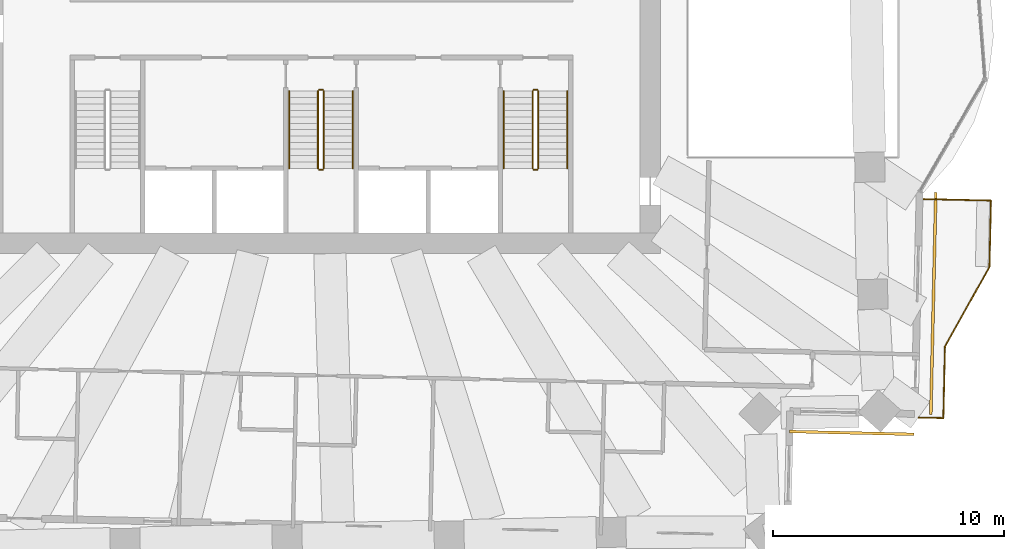
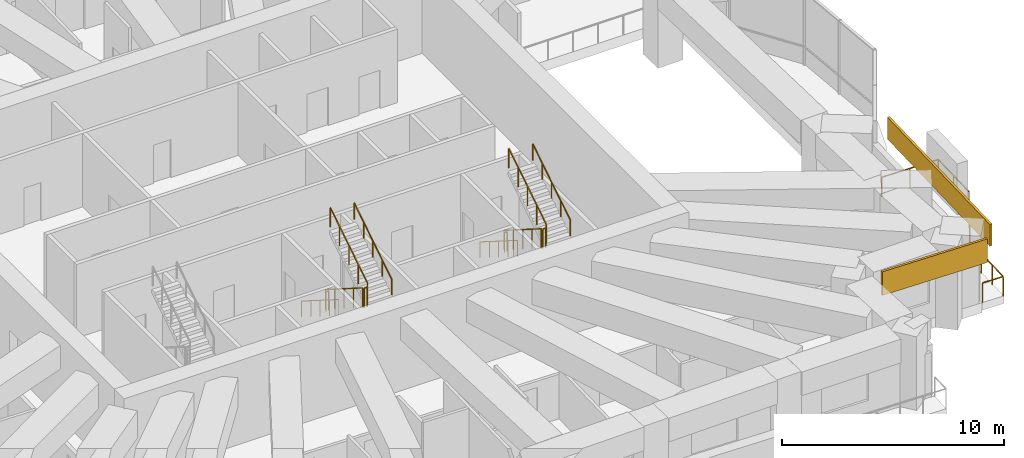
# One storey, part 15 of 17: 13 railings, 2 coverings.
"""IFC4 building model written with IfcOpenShell, lengths in metres."""

import ifcopenshell
import ifcopenshell.guid

model = None  # the IFC model being written
_history = None  # IfcOwnerHistory: only IFC2X3 demands one
_inside = {}  # id of a spatial element -> (the spatial element, [elements in it])
_under = {}  # id of a project, library or spatial element -> (it, [spatial elements below it])
_declared = {}  # id of a project -> (the project, [libraries it declares])
_typed = {}  # id of a type object -> (the type object, [elements of that type])
_made_of = {}  # id of a material, layer set ... -> (it, [elements and type objects made of it])


def new_model(schema):
    """Start an empty IFC model of exactly this schema.

    Asked for "IFC4X3", IfcOpenShell would pick the latest addendum, in which some entities
    have other attributes; the version numbers below select the first issue.
    IFC2X3 requires an IfcOwnerHistory on every rooted entity: one is made here for all.
    """
    global model, _history
    if schema == "IFC4X3":
        model = ifcopenshell.file(schema_version=(4, 3, 0, 0))
    else:
        model = ifcopenshell.file(schema=schema)
    _inside.clear()
    _under.clear()
    _declared.clear()
    _typed.clear()
    _made_of.clear()
    _history = None
    if model.schema == "IFC2X3":
        org = make("IfcOrganization", Name="unknown")
        user = make(
            "IfcPersonAndOrganization",
            ThePerson=make("IfcPerson", FamilyName="unknown"),
            TheOrganization=org,
        )
        app = make(
            "IfcApplication",
            ApplicationDeveloper=org,
            Version="unknown",
            ApplicationFullName="unknown",
            ApplicationIdentifier="unknown",
        )
        _history = make(
            "IfcOwnerHistory",
            OwningUser=user,
            OwningApplication=app,
            ChangeAction="ADDED",
            CreationDate=0,
        )
    return model


def make(cls, **values):
    """One entity of the class cls with the attributes given. An attribute that is None is left unset."""
    return model.create_entity(
        cls, **{name: value for name, value in values.items() if value is not None}
    )


def rooted(cls, **values):
    """An entity with a GlobalId (a new one), such as an element, a storey or a relation."""
    return make(cls, GlobalId=ifcopenshell.guid.new(), OwnerHistory=_history, **values)


def si_unit(unit_type, name, prefix=None):
    """IfcSIUnit, for example si_unit("LENGTHUNIT", "METRE", prefix="MILLI")."""
    return make("IfcSIUnit", UnitType=unit_type, Prefix=prefix, Name=name)


def assignment(units):
    """IfcUnitAssignment: the units of a project."""
    return None if units is None else make("IfcUnitAssignment", Units=units)


def point(xyz):
    """IfcCartesianPoint."""
    return None if xyz is None else make("IfcCartesianPoint", Coordinates=xyz)


def direction(xyz):
    """IfcDirection."""
    return None if xyz is None else make("IfcDirection", DirectionRatios=xyz)


def frame(location, z_axis=None, x_axis=None):
    """IfcAxis2Placement3D, a coordinate frame: its origin and axes. An axis left out is left unset."""
    return make(
        "IfcAxis2Placement3D",
        Location=point(location),
        Axis=direction(z_axis),
        RefDirection=direction(x_axis),
    )


def frame_2d(location, x_axis=None):
    """IfcAxis2Placement2D, a coordinate frame in the plane: its origin and x axis."""
    return make(
        "IfcAxis2Placement2D", Location=point(location), RefDirection=direction(x_axis)
    )


def origin():
    """The frame at (0, 0, 0) with its axes left unset."""
    return frame((0.0, 0.0, 0.0))


def origin_2d():
    """The frame at (0, 0) in the plane with its x axis left unset."""
    return frame_2d((0.0, 0.0))


def place(relative_to, where):
    """IfcLocalPlacement: puts the frame where relative to a parent placement (None: the world)."""
    return make(
        "IfcLocalPlacement", PlacementRelTo=relative_to, RelativePlacement=where
    )


def context(
    kind, dimensions, precision=None, world=None, true_north=None, identifier=None
):
    """IfcGeometricRepresentationContext, for example the 3D "Model" context."""
    return make(
        "IfcGeometricRepresentationContext",
        ContextIdentifier=identifier,
        ContextType=kind,
        CoordinateSpaceDimension=dimensions,
        Precision=precision,
        WorldCoordinateSystem=world,
        TrueNorth=true_north,
    )


def subcontext(parent, identifier, kind, view, scale=None):
    """IfcGeometricRepresentationSubContext, for example "Body" below "Model"."""
    return make(
        "IfcGeometricRepresentationSubContext",
        ContextIdentifier=identifier,
        ContextType=kind,
        ParentContext=parent,
        TargetScale=scale,
        TargetView=view,
    )


def project(units=None, contexts=None):
    """IfcProject with its units and contexts."""
    return rooted(
        "IfcProject",
        Name="project",
        RepresentationContexts=contexts,
        UnitsInContext=assignment(units),
    )


def spatial(cls, under=None, at=None, **own):
    """A site, building, storey or space (cls), placed at a placement, below another one or the project."""
    s = rooted(cls, ObjectPlacement=at, **own)
    if under is not None:
        _under.setdefault(under.id(), (under, []))[1].append(s)
    return s


def profile(cls, at=None, kind="AREA", **sizes):
    """A parametric profile (cls). Its sizes go by their IFC names, for example OverallWidth=200.0."""
    return make(cls, ProfileType=kind, Position=at, **sizes)


def rectangle(**sizes):
    """IfcRectangleProfileDef."""
    return profile("IfcRectangleProfileDef", **sizes)


def circle(**sizes):
    """IfcCircleProfileDef."""
    return profile("IfcCircleProfileDef", **sizes)


def extrude(swept, where, along, depth):
    """IfcExtrudedAreaSolid: the profile swept, set in the frame where, extruded along a direction by depth."""
    return make(
        "IfcExtrudedAreaSolid",
        SweptArea=swept,
        Position=where,
        ExtrudedDirection=direction(along),
        Depth=depth,
    )


def shape(context_of_items, identifier, shape_type, items):
    """IfcShapeRepresentation: the items that make up one representation, for example the "Body"."""
    return make(
        "IfcShapeRepresentation",
        ContextOfItems=context_of_items,
        RepresentationIdentifier=identifier,
        RepresentationType=shape_type,
        Items=items,
    )


def material(Name=None, Category=None):
    """IfcMaterial."""
    return make("IfcMaterial", Name=Name, Category=Category)


def layer(
    of_material, thickness, ventilated=None, Name=None, Category=None, Priority=None
):
    """IfcMaterialLayer: one layer of a wall or slab, of a material (None: an air gap)."""
    return make(
        "IfcMaterialLayer",
        Material=of_material,
        LayerThickness=thickness,
        IsVentilated=ventilated,
        Name=Name,
        Category=Category,
        Priority=Priority,
    )


def layer_set(layers, Name=None):
    """IfcMaterialLayerSet."""
    return make("IfcMaterialLayerSet", MaterialLayers=layers, LayerSetName=Name)


def made_of(thing, what):
    """Note that an element or type object is made of a material, layer set ...; save() writes the relation."""
    if what is not None:
        _made_of.setdefault(what.id(), (what, []))[1].append(thing)
    return thing


def type_object(cls, material=None, **own):
    """A type object (cls), such as IfcWallType, which elements share."""
    return made_of(rooted(cls, **own), material)


def element(
    cls,
    number,
    at=None,
    inside=None,
    cuts=None,
    type_object=None,
    material=None,
    context=None,
    identifier="Body",
    shape_type=None,
    held_by="IfcProductDefinitionShape",
    body=None,
    shapes=None,
    **own,
):
    """One element of the class cls, such as IfcWall. Its Tag is "e" and its number.

    at: its placement. inside: the storey or other place that contains it. cuts: it is an
    opening in that element (IfcRelVoidsElement). A single representation is given by context,
    identifier, shape_type and body (its items); several are given by shapes. held_by: the class
    of the entity that holds the representations. save() writes the other relations.
    """
    e = rooted(cls, Tag="e%d" % number, ObjectPlacement=at, **own)
    if body is not None:
        shapes = [shape(context, identifier, shape_type, body)]
    if shapes is not None:
        e.Representation = make(held_by, Representations=shapes)
    if inside is not None:
        _inside.setdefault(inside.id(), (inside, []))[1].append(e)
    if cuts is not None:
        rooted(
            "IfcRelVoidsElement", RelatingBuildingElement=cuts, RelatedOpeningElement=e
        )
    if type_object is not None:
        _typed.setdefault(type_object.id(), (type_object, []))[1].append(e)
    return made_of(e, material)


def aggregate(whole, parts):
    """IfcRelAggregates: a whole, such as a stair, and the parts it consists of."""
    return rooted("IfcRelAggregates", RelatingObject=whole, RelatedObjects=parts)


def save(model, path):
    """Write the relations noted so far, then the file.

    IfcRelAggregates (storeys below a building ...), IfcRelContainedInSpatialStructure (elements
    in a storey), IfcRelDefinesByType, IfcRelAssociatesMaterial and IfcRelDeclares: one each for
    every whole, place, type object, material and project.
    """
    for whole, parts in _under.values():
        aggregate(whole, parts)
    for where, things in _inside.values():
        rooted(
            "IfcRelContainedInSpatialStructure",
            RelatedElements=things,
            RelatingStructure=where,
        )
    for kind, things in _typed.values():
        rooted("IfcRelDefinesByType", RelatedObjects=things, RelatingType=kind)
    for what, things in _made_of.values():
        rooted("IfcRelAssociatesMaterial", RelatedObjects=things, RelatingMaterial=what)
    for by, libraries in _declared.values():
        rooted("IfcRelDeclares", RelatingContext=by, RelatedDefinitions=libraries)
    model.write(path)


model = new_model("IFC4")

# Units and contexts
model_context = context("Model", 3, precision=1e-05, world=origin(), true_north=direction((0.0, 1.0)))
body_context = subcontext(model_context, "Body", "Model", "MODEL_VIEW")
ifc_project = project(units=[si_unit("LENGTHUNIT", "METRE"), si_unit("AREAUNIT", "SQUARE_METRE"), si_unit("VOLUMEUNIT", "CUBIC_METRE"), si_unit("PLANEANGLEUNIT", "RADIAN"), si_unit("MASSUNIT", "GRAM", prefix="KILO")], contexts=[model_context])

# Site, building, storey
site_placement = place(None, origin())
site = spatial("IfcSite", under=ifc_project, at=site_placement, CompositionType="ELEMENT")
building_placement = place(site_placement, origin())
building = spatial("IfcBuilding", under=site, at=building_placement, Name="Mangrove Gate Tower", CompositionType="ELEMENT")
storey_placement = place(building_placement, frame((0.0, 0.0, 148.10009765625)))
storey = spatial("IfcBuildingStorey", under=building, at=storey_placement, Name="L37", CompositionType="ELEMENT", Elevation=148.10009765625)

# Railings
ifc_material_1 = material(Name="Stainless steel grade 316 with laminated glass infill", Category="steel")
railing_type_1 = type_object("IfcRailingType", Name="Balcony guard 1100", PredefinedType="GUARDRAIL", material=ifc_material_1)
railing_1_placement = place(storey_placement, frame((25.89697265625, -18.805908203125, 0.0)))
element("IfcRailing", 1, at=railing_1_placement, inside=storey, type_object=railing_type_1, Name="GUARD L37 E1", PredefinedType="GUARDRAIL", context=body_context, shape_type="SweptSolid", body=[
    extrude(rectangle(XDim=0.048095703125, YDim=0.048095703125, at=origin_2d()), frame((0.0, 0.0, 1.076171875), z_axis=(0.999740168701, -0.022794628443, 0.0), x_axis=(0.022794628443, 0.999740168701, 0.0)), (0.0, 0.0, 1.0), 1.060302734375),
    extrude(rectangle(XDim=0.048095703125, YDim=0.048095703125, at=origin_2d()), frame((1.06005859375, -0.024169921875, 1.076171875), z_axis=(0.022596213667, 0.999744672968, 0.0), x_axis=(-0.999744672968, 0.022596213667, 0.0)), (0.0, 0.0, 1.0), 3.100830078125),
    extrude(rectangle(XDim=0.048095703125, YDim=0.048095703125, at=origin_2d()), frame((1.130126953125, 3.075927734375, 1.076171875), z_axis=(0.48726008209, 0.87325689943, 0.0), x_axis=(-0.87325689943, 0.48726008209, 0.0)), (0.0, 0.0, 1.0), 3.958740234375),
    extrude(rectangle(XDim=0.048095703125, YDim=0.048095703125, at=origin_2d()), frame((3.05908203125, 6.532958984375, 1.076171875), z_axis=(0.022590224177, 0.999744808324, 0.0), x_axis=(-0.999744808324, 0.022590224177, 0.0)), (0.0, 0.0, 1.0), 2.874755859375),
    extrude(rectangle(XDim=0.048095703125, YDim=0.048095703125, at=origin_2d()), frame((3.1240234375, 9.406982421875, 1.076171875), z_axis=(-0.999750894749, 0.022319239446, 0.0), x_axis=(-0.022319239446, -0.999750894749, 0.0)), (0.0, 0.0, 1.0), 2.90966796875),
    extrude(rectangle(XDim=0.0419921875, YDim=0.0419921875, at=origin_2d()), origin(), (0.0, 0.0, 1.0), 1.052001953125),
    extrude(rectangle(XDim=0.0419921875, YDim=0.0419921875, at=origin_2d()), frame((1.06005859375, -0.024169921875, 0.0)), (0.0, 0.0, 1.0), 1.052001953125),
    extrude(rectangle(XDim=0.0419921875, YDim=0.0419921875, at=origin_2d()), frame((1.08349609375, 1.00927734375, 0.0)), (0.0, 0.0, 1.0), 1.052001953125),
    extrude(rectangle(XDim=0.0419921875, YDim=0.0419921875, at=origin_2d()), frame((1.106689453125, 2.04248046875, 0.0)), (0.0, 0.0, 1.0), 1.052001953125),
    extrude(rectangle(XDim=0.0419921875, YDim=0.0419921875, at=origin_2d()), frame((1.130126953125, 3.075927734375, 0.0)), (0.0, 0.0, 1.0), 1.052001953125),
    extrude(rectangle(XDim=0.0419921875, YDim=0.0419921875, at=origin_2d()), frame((1.773193359375, 4.228271484375, 0.0)), (0.0, 0.0, 1.0), 1.052001953125),
    extrude(rectangle(XDim=0.0419921875, YDim=0.0419921875, at=origin_2d()), frame((2.416015625, 5.380615234375, 0.0)), (0.0, 0.0, 1.0), 1.052001953125),
    extrude(rectangle(XDim=0.0419921875, YDim=0.0419921875, at=origin_2d()), frame((3.05908203125, 6.532958984375, 0.0)), (0.0, 0.0, 1.0), 1.052001953125),
    extrude(rectangle(XDim=0.0419921875, YDim=0.0419921875, at=origin_2d()), frame((3.091552734375, 7.969970703125, 0.0)), (0.0, 0.0, 1.0), 1.052001953125),
    extrude(rectangle(XDim=0.0419921875, YDim=0.0419921875, at=origin_2d()), frame((3.1240234375, 9.406982421875, 0.0)), (0.0, 0.0, 1.0), 1.052001953125),
    extrude(rectangle(XDim=0.0419921875, YDim=0.0419921875, at=origin_2d()), frame((1.66943359375, 9.439453125, 0.0)), (0.0, 0.0, 1.0), 1.052001953125),
    extrude(rectangle(XDim=0.0419921875, YDim=0.0419921875, at=origin_2d()), frame((0.215087890625, 9.471923828125, 0.0)), (0.0, 0.0, 1.0), 1.052001953125),
])
ifc_material_2 = material(Name="Stainless steel 316", Category="steel")
railing_type_2 = type_object("IfcRailingType", Name="Core stair guard 1100", PredefinedType="GUARDRAIL", material=ifc_material_2)
railing_2_placement = place(storey_placement, frame((-0.14990234375, -4.64990234375, 0.1767578125)))
element("IfcRailing", 2, at=railing_2_placement, inside=storey, type_object=railing_type_2, Name="L37 ST2 stair guard 1", PredefinedType="GUARDRAIL", context=body_context, shape_type="SweptSolid", body=[
    extrude(rectangle(XDim=0.048095703125, YDim=0.048095703125, at=origin_2d()), frame((0.0, 0.0, 1.076171875), z_axis=(0.0, -0.845389635667, 0.534150132366), x_axis=(1.0, 0.0, 0.0)), (0.0, 0.0, 1.0), 3.974609375),
    extrude(rectangle(XDim=0.0419921875, YDim=0.0419921875, at=origin_2d()), origin(), (0.0, 0.0, 1.0), 1.052001953125),
    extrude(rectangle(XDim=0.0419921875, YDim=0.0419921875, at=origin_2d()), frame((0.0, -0.840087890625, 0.53076171875)), (0.0, 0.0, 1.0), 1.052001953125),
    extrude(rectangle(XDim=0.0419921875, YDim=0.0419921875, at=origin_2d()), frame((0.0, -1.68017578125, 1.0615234375)), (0.0, 0.0, 1.0), 1.052001953125),
    extrude(rectangle(XDim=0.0419921875, YDim=0.0419921875, at=origin_2d()), frame((0.0, -2.52001953125, 1.59228515625)), (0.0, 0.0, 1.0), 1.052001953125),
    extrude(rectangle(XDim=0.0419921875, YDim=0.0419921875, at=origin_2d()), frame((0.0, -3.360107421875, 2.123046875)), (0.0, 0.0, 1.0), 1.052001953125),
])
railing_3_placement = place(storey_placement, frame((-0.10009765625, -8.06005859375, 2.2998046875)))
element("IfcRailing", 3, at=railing_3_placement, inside=storey, type_object=railing_type_2, Name="L37 ST2 stair guard 2", PredefinedType="GUARDRAIL", context=body_context, shape_type="SweptSolid", body=[
    extrude(rectangle(XDim=0.048095703125, YDim=0.048095703125, at=origin_2d()), frame((0.0, 0.0, 1.076171875), z_axis=(1.0, 0.0, 0.0), x_axis=(0.0, 1.0, 0.0)), (0.0, 0.0, 1.0), 0.150146484375),
    extrude(rectangle(XDim=0.0419921875, YDim=0.0419921875, at=origin_2d()), origin(), (0.0, 0.0, 1.0), 1.052001953125),
    extrude(rectangle(XDim=0.0419921875, YDim=0.0419921875, at=origin_2d()), frame((0.150146484375, 0.0, 0.0)), (0.0, 0.0, 1.0), 1.052001953125),
])
railing_4_placement = place(storey_placement, frame((0.10009765625, -8.010009765625, 2.476806640625)))
element("IfcRailing", 4, at=railing_4_placement, inside=storey, type_object=railing_type_2, Name="L37 ST2 stair guard 3", PredefinedType="GUARDRAIL", context=body_context, shape_type="SweptSolid", body=[
    extrude(rectangle(XDim=0.048095703125, YDim=0.048095703125, at=origin_2d()), frame((0.0, 0.0, 1.076171875), z_axis=(0.0, 0.845389635667, 0.534150132366), x_axis=(-1.0, 0.0, 0.0)), (0.0, 0.0, 1.0), 3.974609375),
    extrude(rectangle(XDim=0.0419921875, YDim=0.0419921875, at=origin_2d()), origin(), (0.0, 0.0, 1.0), 1.052001953125),
    extrude(rectangle(XDim=0.0419921875, YDim=0.0419921875, at=origin_2d()), frame((0.0, 0.840087890625, 0.53076171875)), (0.0, 0.0, 1.0), 1.052001953125),
    extrude(rectangle(XDim=0.0419921875, YDim=0.0419921875, at=origin_2d()), frame((0.0, 1.68017578125, 1.0615234375)), (0.0, 0.0, 1.0), 1.052001953125),
    extrude(rectangle(XDim=0.0419921875, YDim=0.0419921875, at=origin_2d()), frame((0.0, 2.52001953125, 1.59228515625)), (0.0, 0.0, 1.0), 1.052001953125),
    extrude(rectangle(XDim=0.0419921875, YDim=0.0419921875, at=origin_2d()), frame((0.0, 3.360107421875, 2.123046875)), (0.0, 0.0, 1.0), 1.052001953125),
])
railing_5_placement = place(storey_placement, frame((-0.10009765625, -4.60009765625, 0.0)))
element("IfcRailing", 5, at=railing_5_placement, inside=storey, type_object=railing_type_2, Name="L37 ST2 stair guard 4", PredefinedType="GUARDRAIL", context=body_context, shape_type="SweptSolid", body=[
    extrude(rectangle(XDim=0.048095703125, YDim=0.048095703125, at=origin_2d()), frame((0.0, 0.0, 1.076171875), z_axis=(1.0, 0.0, 0.0), x_axis=(0.0, 1.0, 0.0)), (0.0, 0.0, 1.0), 0.150146484375),
    extrude(rectangle(XDim=0.0419921875, YDim=0.0419921875, at=origin_2d()), origin(), (0.0, 0.0, 1.0), 1.052001953125),
    extrude(rectangle(XDim=0.0419921875, YDim=0.0419921875, at=origin_2d()), frame((0.150146484375, 0.0, 0.0)), (0.0, 0.0, 1.0), 1.052001953125),
])
railing_6_placement = place(storey_placement, frame((9.14990234375, -4.64990234375, 0.1767578125)))
element("IfcRailing", 6, at=railing_6_placement, inside=storey, type_object=railing_type_2, Name="L37 ST3 stair guard 1", PredefinedType="GUARDRAIL", context=body_context, shape_type="SweptSolid", body=[
    extrude(rectangle(XDim=0.048095703125, YDim=0.048095703125, at=origin_2d()), frame((0.0, 0.0, 1.076171875), z_axis=(0.0, -0.845389635667, 0.534150132366), x_axis=(1.0, 0.0, 0.0)), (0.0, 0.0, 1.0), 3.974609375),
    extrude(rectangle(XDim=0.0419921875, YDim=0.0419921875, at=origin_2d()), origin(), (0.0, 0.0, 1.0), 1.052001953125),
    extrude(rectangle(XDim=0.0419921875, YDim=0.0419921875, at=origin_2d()), frame((0.0, -0.840087890625, 0.53076171875)), (0.0, 0.0, 1.0), 1.052001953125),
    extrude(rectangle(XDim=0.0419921875, YDim=0.0419921875, at=origin_2d()), frame((0.0, -1.68017578125, 1.0615234375)), (0.0, 0.0, 1.0), 1.052001953125),
    extrude(rectangle(XDim=0.0419921875, YDim=0.0419921875, at=origin_2d()), frame((0.0, -2.52001953125, 1.59228515625)), (0.0, 0.0, 1.0), 1.052001953125),
    extrude(rectangle(XDim=0.0419921875, YDim=0.0419921875, at=origin_2d()), frame((0.0, -3.360107421875, 2.123046875)), (0.0, 0.0, 1.0), 1.052001953125),
])
railing_7_placement = place(storey_placement, frame((9.199951171875, -8.06005859375, 2.2998046875)))
element("IfcRailing", 7, at=railing_7_placement, inside=storey, type_object=railing_type_2, Name="L37 ST3 stair guard 2", PredefinedType="GUARDRAIL", context=body_context, shape_type="SweptSolid", body=[
    extrude(rectangle(XDim=0.048095703125, YDim=0.048095703125, at=origin_2d()), frame((0.0, 0.0, 1.076171875), z_axis=(1.0, 0.0, 0.0), x_axis=(0.0, 1.0, 0.0)), (0.0, 0.0, 1.0), 0.150146484375),
    extrude(rectangle(XDim=0.0419921875, YDim=0.0419921875, at=origin_2d()), origin(), (0.0, 0.0, 1.0), 1.052001953125),
    extrude(rectangle(XDim=0.0419921875, YDim=0.0419921875, at=origin_2d()), frame((0.150146484375, 0.0, 0.0)), (0.0, 0.0, 1.0), 1.052001953125),
])
railing_8_placement = place(storey_placement, frame((9.39990234375, -8.010009765625, 2.476806640625)))
element("IfcRailing", 8, at=railing_8_placement, inside=storey, type_object=railing_type_2, Name="L37 ST3 stair guard 3", PredefinedType="GUARDRAIL", context=body_context, shape_type="SweptSolid", body=[
    extrude(rectangle(XDim=0.048095703125, YDim=0.048095703125, at=origin_2d()), frame((0.0, 0.0, 1.076171875), z_axis=(0.0, 0.845389635667, 0.534150132366), x_axis=(-1.0, 0.0, 0.0)), (0.0, 0.0, 1.0), 3.974609375),
    extrude(rectangle(XDim=0.0419921875, YDim=0.0419921875, at=origin_2d()), origin(), (0.0, 0.0, 1.0), 1.052001953125),
    extrude(rectangle(XDim=0.0419921875, YDim=0.0419921875, at=origin_2d()), frame((0.0, 0.840087890625, 0.53076171875)), (0.0, 0.0, 1.0), 1.052001953125),
    extrude(rectangle(XDim=0.0419921875, YDim=0.0419921875, at=origin_2d()), frame((0.0, 1.68017578125, 1.0615234375)), (0.0, 0.0, 1.0), 1.052001953125),
    extrude(rectangle(XDim=0.0419921875, YDim=0.0419921875, at=origin_2d()), frame((0.0, 2.52001953125, 1.59228515625)), (0.0, 0.0, 1.0), 1.052001953125),
    extrude(rectangle(XDim=0.0419921875, YDim=0.0419921875, at=origin_2d()), frame((0.0, 3.360107421875, 2.123046875)), (0.0, 0.0, 1.0), 1.052001953125),
])
railing_9_placement = place(storey_placement, frame((9.199951171875, -4.60009765625, 0.0)))
element("IfcRailing", 9, at=railing_9_placement, inside=storey, type_object=railing_type_2, Name="L37 ST3 stair guard 4", PredefinedType="GUARDRAIL", context=body_context, shape_type="SweptSolid", body=[
    extrude(rectangle(XDim=0.048095703125, YDim=0.048095703125, at=origin_2d()), frame((0.0, 0.0, 1.076171875), z_axis=(1.0, 0.0, 0.0), x_axis=(0.0, 1.0, 0.0)), (0.0, 0.0, 1.0), 0.150146484375),
    extrude(rectangle(XDim=0.0419921875, YDim=0.0419921875, at=origin_2d()), origin(), (0.0, 0.0, 1.0), 1.052001953125),
    extrude(rectangle(XDim=0.0419921875, YDim=0.0419921875, at=origin_2d()), frame((0.150146484375, 0.0, 0.0)), (0.0, 0.0, 1.0), 1.052001953125),
])
ifc_material_3 = material(Name="Stainless steel 316", Category="steel")
railing_type_3 = type_object("IfcRailingType", Name="Core stair handrail 900", PredefinedType="HANDRAIL", material=ifc_material_3)
railing_10_placement = place(storey_placement, frame((-1.39990234375, -4.64990234375, 0.1767578125)))
element("IfcRailing", 10, at=railing_10_placement, inside=storey, type_object=railing_type_3, Name="L37 ST2 stair handrail 1", PredefinedType="HANDRAIL", context=body_context, shape_type="SweptSolid", body=[
    extrude(circle(Radius=0.02392578125, at=origin_2d()), frame((0.0, 0.0, 0.8759765625), z_axis=(0.0, -0.845389635667, 0.534150132366), x_axis=(1.0, 0.0, 0.0)), (0.0, 0.0, 1.0), 3.974609375),
    extrude(circle(Radius=0.02099609375, at=origin_2d()), origin(), (0.0, 0.0, 1.0), 0.851806640625),
    extrude(circle(Radius=0.02099609375, at=origin_2d()), frame((0.0, -0.840087890625, 0.53076171875)), (0.0, 0.0, 1.0), 0.851806640625),
    extrude(circle(Radius=0.02099609375, at=origin_2d()), frame((0.0, -1.68017578125, 1.0615234375)), (0.0, 0.0, 1.0), 0.851806640625),
    extrude(circle(Radius=0.02099609375, at=origin_2d()), frame((0.0, -2.52001953125, 1.59228515625)), (0.0, 0.0, 1.0), 0.851806640625),
    extrude(circle(Radius=0.02099609375, at=origin_2d()), frame((0.0, -3.360107421875, 2.123046875)), (0.0, 0.0, 1.0), 0.851806640625),
])
railing_11_placement = place(storey_placement, frame((1.35009765625, -8.010009765625, 2.476806640625)))
element("IfcRailing", 11, at=railing_11_placement, inside=storey, type_object=railing_type_3, Name="L37 ST2 stair handrail 2", PredefinedType="HANDRAIL", context=body_context, shape_type="SweptSolid", body=[
    extrude(circle(Radius=0.02392578125, at=origin_2d()), frame((0.0, 0.0, 0.8759765625), z_axis=(0.0, 0.845389635667, 0.534150132366), x_axis=(-1.0, 0.0, 0.0)), (0.0, 0.0, 1.0), 3.974609375),
    extrude(circle(Radius=0.02099609375, at=origin_2d()), origin(), (0.0, 0.0, 1.0), 0.851806640625),
    extrude(circle(Radius=0.02099609375, at=origin_2d()), frame((0.0, 0.840087890625, 0.53076171875)), (0.0, 0.0, 1.0), 0.851806640625),
    extrude(circle(Radius=0.02099609375, at=origin_2d()), frame((0.0, 1.68017578125, 1.0615234375)), (0.0, 0.0, 1.0), 0.851806640625),
    extrude(circle(Radius=0.02099609375, at=origin_2d()), frame((0.0, 2.52001953125, 1.59228515625)), (0.0, 0.0, 1.0), 0.851806640625),
    extrude(circle(Radius=0.02099609375, at=origin_2d()), frame((0.0, 3.360107421875, 2.123046875)), (0.0, 0.0, 1.0), 0.851806640625),
])
railing_12_placement = place(storey_placement, frame((7.89990234375, -4.64990234375, 0.1767578125)))
element("IfcRailing", 12, at=railing_12_placement, inside=storey, type_object=railing_type_3, Name="L37 ST3 stair handrail 1", PredefinedType="HANDRAIL", context=body_context, shape_type="SweptSolid", body=[
    extrude(circle(Radius=0.02392578125, at=origin_2d()), frame((0.0, 0.0, 0.8759765625), z_axis=(0.0, -0.845389635667, 0.534150132366), x_axis=(1.0, 0.0, 0.0)), (0.0, 0.0, 1.0), 3.974609375),
    extrude(circle(Radius=0.02099609375, at=origin_2d()), origin(), (0.0, 0.0, 1.0), 0.851806640625),
    extrude(circle(Radius=0.02099609375, at=origin_2d()), frame((0.0, -0.840087890625, 0.53076171875)), (0.0, 0.0, 1.0), 0.851806640625),
    extrude(circle(Radius=0.02099609375, at=origin_2d()), frame((0.0, -1.68017578125, 1.0615234375)), (0.0, 0.0, 1.0), 0.851806640625),
    extrude(circle(Radius=0.02099609375, at=origin_2d()), frame((0.0, -2.52001953125, 1.59228515625)), (0.0, 0.0, 1.0), 0.851806640625),
    extrude(circle(Radius=0.02099609375, at=origin_2d()), frame((0.0, -3.360107421875, 2.123046875)), (0.0, 0.0, 1.0), 0.851806640625),
])
railing_13_placement = place(storey_placement, frame((10.64990234375, -8.010009765625, 2.476806640625)))
element("IfcRailing", 13, at=railing_13_placement, inside=storey, type_object=railing_type_3, Name="L37 ST3 stair handrail 2", PredefinedType="HANDRAIL", context=body_context, shape_type="SweptSolid", body=[
    extrude(circle(Radius=0.02392578125, at=origin_2d()), frame((0.0, 0.0, 0.8759765625), z_axis=(0.0, 0.845389635667, 0.534150132366), x_axis=(-1.0, 0.0, 0.0)), (0.0, 0.0, 1.0), 3.974609375),
    extrude(circle(Radius=0.02099609375, at=origin_2d()), origin(), (0.0, 0.0, 1.0), 0.851806640625),
    extrude(circle(Radius=0.02099609375, at=origin_2d()), frame((0.0, 0.840087890625, 0.53076171875)), (0.0, 0.0, 1.0), 0.851806640625),
    extrude(circle(Radius=0.02099609375, at=origin_2d()), frame((0.0, 1.68017578125, 1.0615234375)), (0.0, 0.0, 1.0), 0.851806640625),
    extrude(circle(Radius=0.02099609375, at=origin_2d()), frame((0.0, 2.52001953125, 1.59228515625)), (0.0, 0.0, 1.0), 0.851806640625),
    extrude(circle(Radius=0.02099609375, at=origin_2d()), frame((0.0, 3.360107421875, 2.123046875)), (0.0, 0.0, 1.0), 0.851806640625),
])

# Coverings
ifc_material_4 = material(Name="Limestone", Category="masonry")
ifc_layer_1 = layer(ifc_material_4, 0.0400390625, Name="Limestone cladding")
ifc_material_5 = material(Name="Stainless steel anchors and cavity", Category="steel")
ifc_layer_2 = layer(ifc_material_5, 0.080078125, Name="Fixing cavity")
ifc_layer_set = layer_set([ifc_layer_1, ifc_layer_2], Name="Joint fascia cladding 120")
covering_type = type_object("IfcCoveringType", Name="Joint fascia cladding 120", PredefinedType="CLADDING", material=ifc_layer_set)
covering_1_placement = place(storey_placement, frame((26.4130859375, -18.6669921875, 2.849853515625), z_axis=(0.0, 0.0, 1.0), x_axis=(0.02264077634, 0.999743664769, 0.0)))
element("IfcCovering", 14, at=covering_1_placement, inside=storey, type_object=covering_type, Name="STONE FASCIA L37 E0.1", PredefinedType="CLADDING", context=body_context, shape_type="SweptSolid", body=[
    extrude(rectangle(XDim=9.62939453125, YDim=0.1201171875, at=frame_2d((4.814697265625, 0.0))), origin(), (0.0, 0.0, 1.0), 1.199951171875),
])
covering_2_placement = place(storey_placement, frame((20.2919921875, -19.410888671875, 2.75), z_axis=(0.0, 0.0, 1.0), x_axis=(0.999744396973, -0.02260842146, 0.0)))
element("IfcCovering", 15, at=covering_2_placement, inside=storey, type_object=covering_type, Name="STONE FASCIA L37 S15.1", PredefinedType="CLADDING", context=body_context, shape_type="SweptSolid", body=[
    extrude(rectangle(XDim=5.3994140625, YDim=0.1201171875, at=frame_2d((2.69970703125, 0.0))), origin(), (0.0, 0.0, 1.0), 1.2998046875),
])

save(model, "model.ifc")
